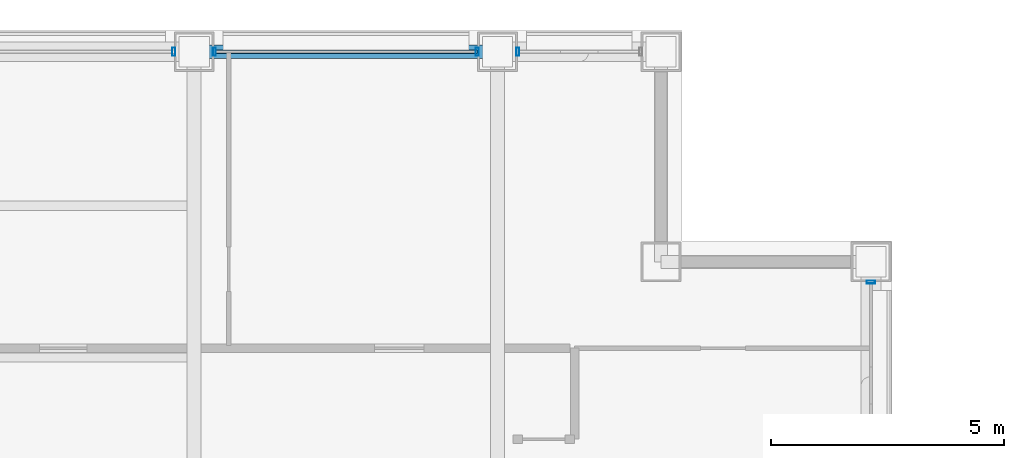
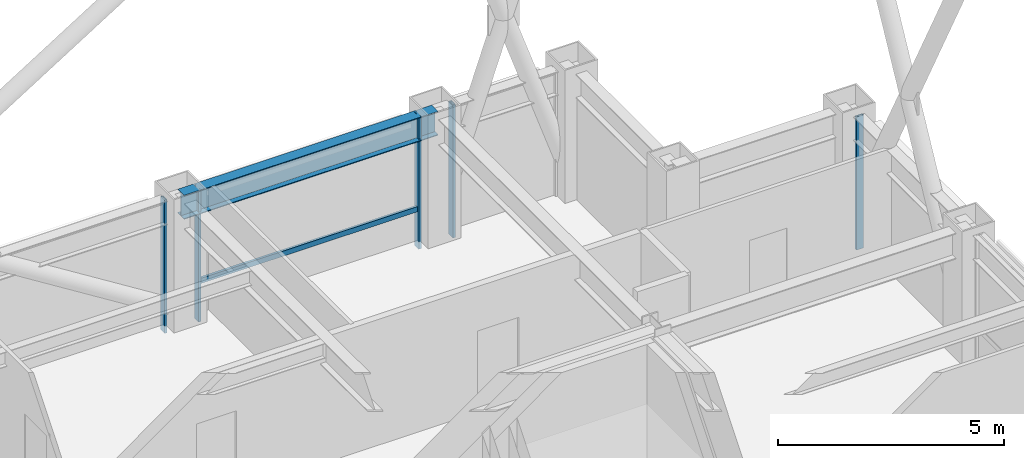
# One storey, part 22 of 32: 6 members, 1 beam, 4 elements without a shape of their own.
"""IFC4 building model written with IfcOpenShell, lengths in metres."""

import ifcopenshell
import ifcopenshell.guid

model = None  # the IFC model being written
_history = None  # IfcOwnerHistory: only IFC2X3 demands one
_inside = {}  # id of a spatial element -> (the spatial element, [elements in it])
_under = {}  # id of a project, library or spatial element -> (it, [spatial elements below it])
_declared = {}  # id of a project -> (the project, [libraries it declares])
_typed = {}  # id of a type object -> (the type object, [elements of that type])
_made_of = {}  # id of a material, layer set ... -> (it, [elements and type objects made of it])


def new_model(schema):
    """Start an empty IFC model of exactly this schema.

    Asked for "IFC4X3", IfcOpenShell would pick the latest addendum, in which some entities
    have other attributes; the version numbers below select the first issue.
    IFC2X3 requires an IfcOwnerHistory on every rooted entity: one is made here for all.
    """
    global model, _history
    if schema == "IFC4X3":
        model = ifcopenshell.file(schema_version=(4, 3, 0, 0))
    else:
        model = ifcopenshell.file(schema=schema)
    _inside.clear()
    _under.clear()
    _declared.clear()
    _typed.clear()
    _made_of.clear()
    _history = None
    if model.schema == "IFC2X3":
        org = make("IfcOrganization", Name="unknown")
        user = make(
            "IfcPersonAndOrganization",
            ThePerson=make("IfcPerson", FamilyName="unknown"),
            TheOrganization=org,
        )
        app = make(
            "IfcApplication",
            ApplicationDeveloper=org,
            Version="unknown",
            ApplicationFullName="unknown",
            ApplicationIdentifier="unknown",
        )
        _history = make(
            "IfcOwnerHistory",
            OwningUser=user,
            OwningApplication=app,
            ChangeAction="ADDED",
            CreationDate=0,
        )
    return model


def make(cls, **values):
    """One entity of the class cls with the attributes given. An attribute that is None is left unset."""
    return model.create_entity(
        cls, **{name: value for name, value in values.items() if value is not None}
    )


def rooted(cls, **values):
    """An entity with a GlobalId (a new one), such as an element, a storey or a relation."""
    return make(cls, GlobalId=ifcopenshell.guid.new(), OwnerHistory=_history, **values)


def si_unit(unit_type, name, prefix=None):
    """IfcSIUnit, for example si_unit("LENGTHUNIT", "METRE", prefix="MILLI")."""
    return make("IfcSIUnit", UnitType=unit_type, Prefix=prefix, Name=name)


def assignment(units):
    """IfcUnitAssignment: the units of a project."""
    return None if units is None else make("IfcUnitAssignment", Units=units)


def point(xyz):
    """IfcCartesianPoint."""
    return None if xyz is None else make("IfcCartesianPoint", Coordinates=xyz)


def direction(xyz):
    """IfcDirection."""
    return None if xyz is None else make("IfcDirection", DirectionRatios=xyz)


def frame(location, z_axis=None, x_axis=None):
    """IfcAxis2Placement3D, a coordinate frame: its origin and axes. An axis left out is left unset."""
    return make(
        "IfcAxis2Placement3D",
        Location=point(location),
        Axis=direction(z_axis),
        RefDirection=direction(x_axis),
    )


def frame_2d(location, x_axis=None):
    """IfcAxis2Placement2D, a coordinate frame in the plane: its origin and x axis."""
    return make(
        "IfcAxis2Placement2D", Location=point(location), RefDirection=direction(x_axis)
    )


def origin():
    """The frame at (0, 0, 0) with its axes left unset."""
    return frame((0.0, 0.0, 0.0))


def origin_2d():
    """The frame at (0, 0) in the plane with its x axis left unset."""
    return frame_2d((0.0, 0.0))


def place(relative_to, where):
    """IfcLocalPlacement: puts the frame where relative to a parent placement (None: the world)."""
    return make(
        "IfcLocalPlacement", PlacementRelTo=relative_to, RelativePlacement=where
    )


def context(
    kind, dimensions, precision=None, world=None, true_north=None, identifier=None
):
    """IfcGeometricRepresentationContext, for example the 3D "Model" context."""
    return make(
        "IfcGeometricRepresentationContext",
        ContextIdentifier=identifier,
        ContextType=kind,
        CoordinateSpaceDimension=dimensions,
        Precision=precision,
        WorldCoordinateSystem=world,
        TrueNorth=true_north,
    )


def subcontext(parent, identifier, kind, view, scale=None):
    """IfcGeometricRepresentationSubContext, for example "Body" below "Model"."""
    return make(
        "IfcGeometricRepresentationSubContext",
        ContextIdentifier=identifier,
        ContextType=kind,
        ParentContext=parent,
        TargetScale=scale,
        TargetView=view,
    )


def project(units=None, contexts=None):
    """IfcProject with its units and contexts."""
    return rooted(
        "IfcProject",
        Name="project",
        RepresentationContexts=contexts,
        UnitsInContext=assignment(units),
    )


def spatial(cls, under=None, at=None, **own):
    """A site, building, storey or space (cls), placed at a placement, below another one or the project."""
    s = rooted(cls, ObjectPlacement=at, **own)
    if under is not None:
        _under.setdefault(under.id(), (under, []))[1].append(s)
    return s


def profile(cls, at=None, kind="AREA", **sizes):
    """A parametric profile (cls). Its sizes go by their IFC names, for example OverallWidth=200.0."""
    return make(cls, ProfileType=kind, Position=at, **sizes)


def hollow_rectangle(**sizes):
    """IfcRectangleHollowProfileDef."""
    return profile("IfcRectangleHollowProfileDef", **sizes)


def i_section(**sizes):
    """IfcIShapeProfileDef."""
    return profile("IfcIShapeProfileDef", **sizes)


def extrude(swept, where, along, depth):
    """IfcExtrudedAreaSolid: the profile swept, set in the frame where, extruded along a direction by depth."""
    return make(
        "IfcExtrudedAreaSolid",
        SweptArea=swept,
        Position=where,
        ExtrudedDirection=direction(along),
        Depth=depth,
    )


def shape(context_of_items, identifier, shape_type, items):
    """IfcShapeRepresentation: the items that make up one representation, for example the "Body"."""
    return make(
        "IfcShapeRepresentation",
        ContextOfItems=context_of_items,
        RepresentationIdentifier=identifier,
        RepresentationType=shape_type,
        Items=items,
    )


def material(Name=None, Category=None):
    """IfcMaterial."""
    return make("IfcMaterial", Name=Name, Category=Category)


def layer(
    of_material, thickness, ventilated=None, Name=None, Category=None, Priority=None
):
    """IfcMaterialLayer: one layer of a wall or slab, of a material (None: an air gap)."""
    return make(
        "IfcMaterialLayer",
        Material=of_material,
        LayerThickness=thickness,
        IsVentilated=ventilated,
        Name=Name,
        Category=Category,
        Priority=Priority,
    )


def layer_set(layers, Name=None):
    """IfcMaterialLayerSet."""
    return make("IfcMaterialLayerSet", MaterialLayers=layers, LayerSetName=Name)


def material_profile(
    of_material, cross_section, Name=None, Category=None, Priority=None
):
    """IfcMaterialProfile: a cross section and its material."""
    return make(
        "IfcMaterialProfile",
        Name=Name,
        Material=of_material,
        Profile=cross_section,
        Priority=Priority,
        Category=Category,
    )


def profile_set(profiles, Name=None, composite=None):
    """IfcMaterialProfileSet."""
    return make(
        "IfcMaterialProfileSet",
        Name=Name,
        MaterialProfiles=profiles,
        CompositeProfile=composite,
    )


def made_of(thing, what):
    """Note that an element or type object is made of a material, layer set ...; save() writes the relation."""
    if what is not None:
        _made_of.setdefault(what.id(), (what, []))[1].append(thing)
    return thing


def type_object(cls, material=None, **own):
    """A type object (cls), such as IfcWallType, which elements share."""
    return made_of(rooted(cls, **own), material)


def element(
    cls,
    number,
    at=None,
    inside=None,
    cuts=None,
    type_object=None,
    material=None,
    context=None,
    identifier="Body",
    shape_type=None,
    held_by="IfcProductDefinitionShape",
    body=None,
    shapes=None,
    **own,
):
    """One element of the class cls, such as IfcWall. Its Tag is "e" and its number.

    at: its placement. inside: the storey or other place that contains it. cuts: it is an
    opening in that element (IfcRelVoidsElement). A single representation is given by context,
    identifier, shape_type and body (its items); several are given by shapes. held_by: the class
    of the entity that holds the representations. save() writes the other relations.
    """
    e = rooted(cls, Tag="e%d" % number, ObjectPlacement=at, **own)
    if body is not None:
        shapes = [shape(context, identifier, shape_type, body)]
    if shapes is not None:
        e.Representation = make(held_by, Representations=shapes)
    if inside is not None:
        _inside.setdefault(inside.id(), (inside, []))[1].append(e)
    if cuts is not None:
        rooted(
            "IfcRelVoidsElement", RelatingBuildingElement=cuts, RelatedOpeningElement=e
        )
    if type_object is not None:
        _typed.setdefault(type_object.id(), (type_object, []))[1].append(e)
    return made_of(e, material)


def aggregate(whole, parts):
    """IfcRelAggregates: a whole, such as a stair, and the parts it consists of."""
    return rooted("IfcRelAggregates", RelatingObject=whole, RelatedObjects=parts)


def save(model, path):
    """Write the relations noted so far, then the file.

    IfcRelAggregates (storeys below a building ...), IfcRelContainedInSpatialStructure (elements
    in a storey), IfcRelDefinesByType, IfcRelAssociatesMaterial and IfcRelDeclares: one each for
    every whole, place, type object, material and project.
    """
    for whole, parts in _under.values():
        aggregate(whole, parts)
    for where, things in _inside.values():
        rooted(
            "IfcRelContainedInSpatialStructure",
            RelatedElements=things,
            RelatingStructure=where,
        )
    for kind, things in _typed.values():
        rooted("IfcRelDefinesByType", RelatedObjects=things, RelatingType=kind)
    for what, things in _made_of.values():
        rooted("IfcRelAssociatesMaterial", RelatedObjects=things, RelatingMaterial=what)
    for by, libraries in _declared.values():
        rooted("IfcRelDeclares", RelatingContext=by, RelatedDefinitions=libraries)
    model.write(path)


model = new_model("IFC4")

# Units and contexts
model_context = context("Model", 3, precision=1e-05, world=origin(), true_north=direction((0.0, 1.0)))
body_context = subcontext(model_context, "Body", "Model", "MODEL_VIEW")
ifc_project = project(units=[si_unit("LENGTHUNIT", "METRE"), si_unit("AREAUNIT", "SQUARE_METRE"), si_unit("VOLUMEUNIT", "CUBIC_METRE"), si_unit("PLANEANGLEUNIT", "RADIAN"), si_unit("MASSUNIT", "GRAM", prefix="KILO")], contexts=[model_context])

# Site, building, storey
site_placement = place(None, origin())
site = spatial("IfcSite", under=ifc_project, at=site_placement, CompositionType="ELEMENT")
building_placement = place(site_placement, origin())
building = spatial("IfcBuilding", under=site, at=building_placement, Name="Brelmoor Portico Tower", CompositionType="ELEMENT")
storey_placement = place(building_placement, frame((0.0, 0.0, 109.800048828125)))
storey = spatial("IfcBuildingStorey", under=building, at=storey_placement, Name="L28", CompositionType="ELEMENT", Elevation=109.800048828125)

# Beam
ifc_material_1 = material(Name="Steel Q355B", Category="steel")
ifc_material_profile_1 = material_profile(ifc_material_1, i_section(OverallWidth=0.280029296875, OverallDepth=0.64990234375, WebThickness=0.012939453125, FlangeThickness=0.02197265625, at=origin_2d()), Name="HN 650x280x13x22")
ifc_profile_set_1 = profile_set([ifc_material_profile_1], Name="Steel Q355B")
beam_type = type_object("IfcBeamType", Name="BM-SP-650", PredefinedType="SPANDREL", material=ifc_profile_set_1)
beam_placement = place(storey_placement, frame((8.050048828125, 19.550048828125, 3.074951171875), z_axis=(1.0, 0.0, 0.0), x_axis=(0.0, 1.0, 0.0)))
element("IfcBeam", 1, at=beam_placement, inside=storey, type_object=beam_type, Name="L28 Perimeter Spandrel Beam SP-13", PredefinedType="SPANDREL", context=body_context, shape_type="SweptSolid", body=[
    extrude(i_section(OverallWidth=0.280029296875, OverallDepth=0.64990234375, WebThickness=0.012939453125, FlangeThickness=0.02197265625, at=origin_2d()), origin(), (0.0, 0.0, 1.0), 6.5),
])

# Curtain wall, member
ifc_material_2 = material(Name="Anodised Aluminium Alloy 6063-T6", Category="aluminium")
ifc_layer_1 = layer(ifc_material_2, 0.179931640625)
ifc_layer_set_1 = layer_set([ifc_layer_1], Name="Anodised Aluminium Alloy 6063-T6")
curtain_wall_type_1 = type_object("IfcCurtainWallType", Name="CW-TOWER-Z2-XB", PredefinedType="NOTDEFINED", material=ifc_layer_set_1)
curtain_wall_1_placement = place(storey_placement, origin())
curtain_wall_1 = element("IfcCurtainWall", 2, at=curtain_wall_1_placement, inside=storey, type_object=curtain_wall_type_1, Name="L28 Curtain Wall CW-L28-02-3", PredefinedType="NOTDEFINED")
ifc_material_profile_2 = material_profile(ifc_material_2, hollow_rectangle(XDim=0.06494140625, YDim=0.179931640625, WallThickness=0.00390625, at=origin_2d()), Name="ALU MULLION 65x180")
ifc_profile_set_2 = profile_set([ifc_material_profile_2], Name="Anodised Aluminium Alloy 6063-T6")
member_type_1 = type_object("IfcMemberType", Name="MB-CW-MULL-180", PredefinedType="MULLION", material=ifc_profile_set_2)
member_1_placement = place(storey_placement, frame((7.614990234375, 19.550048828125, -0.199951171875), z_axis=(0.0, 0.0, 1.0), x_axis=(1.0, 0.0, 0.0)))
member_1 = element("IfcMember", 3, at=member_1_placement, type_object=member_type_1, Name="CW-L28-02-3 Mullion 01", PredefinedType="MULLION", context=body_context, shape_type="SweptSolid", body=[
    extrude(hollow_rectangle(XDim=0.06494140625, YDim=0.179931640625, WallThickness=0.00390625, at=origin_2d()), origin(), (0.0, 0.0, 1.0), 3.599853515625),
])
aggregate(curtain_wall_1, [member_1])

# Curtain wall, members
ifc_layer_2 = layer(ifc_material_2, 0.179931640625)
ifc_layer_set_2 = layer_set([ifc_layer_2], Name="Anodised Aluminium Alloy 6063-T6")
curtain_wall_type_2 = type_object("IfcCurtainWallType", Name="CW-TOWER-Z2", PredefinedType="NOTDEFINED", material=ifc_layer_set_2)
curtain_wall_2_placement = place(storey_placement, origin())
curtain_wall_2 = element("IfcCurtainWall", 4, at=curtain_wall_2_placement, inside=storey, type_object=curtain_wall_type_2, Name="L28 Curtain Wall CW-L28-02-4", PredefinedType="NOTDEFINED")
member_2_placement = place(storey_placement, frame((8.485107421875, 19.550048828125, -0.199951171875), z_axis=(0.0, 0.0, 1.0), x_axis=(1.0, 0.0, 0.0)))
member_2 = element("IfcMember", 5, at=member_2_placement, type_object=member_type_1, Name="CW-L28-02-4 Mullion 00", PredefinedType="MULLION", context=body_context, shape_type="SweptSolid", body=[
    extrude(hollow_rectangle(XDim=0.06494140625, YDim=0.179931640625, WallThickness=0.00390625, at=origin_2d()), origin(), (0.0, 0.0, 1.0), 3.599853515625),
])
member_3_placement = place(storey_placement, frame((14.114990234375, 19.550048828125, -0.199951171875), z_axis=(0.0, 0.0, 1.0), x_axis=(1.0, 0.0, 0.0)))
member_3 = element("IfcMember", 6, at=member_3_placement, type_object=member_type_1, Name="CW-L28-02-4 Mullion 01", PredefinedType="MULLION", context=body_context, shape_type="SweptSolid", body=[
    extrude(hollow_rectangle(XDim=0.06494140625, YDim=0.179931640625, WallThickness=0.00390625, at=origin_2d()), origin(), (0.0, 0.0, 1.0), 3.599853515625),
])

# Curtain wall, member
curtain_wall_3_placement = place(storey_placement, origin())
curtain_wall_3 = element("IfcCurtainWall", 7, at=curtain_wall_3_placement, inside=storey, type_object=curtain_wall_type_1, Name="L28 Curtain Wall CW-L28-02-5", PredefinedType="NOTDEFINED")
member_4_placement = place(storey_placement, frame((14.985107421875, 19.550048828125, -0.199951171875), z_axis=(0.0, 0.0, 1.0), x_axis=(1.0, 0.0, 0.0)))
member_4 = element("IfcMember", 8, at=member_4_placement, type_object=member_type_1, Name="CW-L28-02-5 Mullion 00", PredefinedType="MULLION", context=body_context, shape_type="SweptSolid", body=[
    extrude(hollow_rectangle(XDim=0.06494140625, YDim=0.179931640625, WallThickness=0.00390625, at=origin_2d()), origin(), (0.0, 0.0, 1.0), 3.599853515625),
])
aggregate(curtain_wall_3, [member_4])

curtain_wall_4_placement = place(storey_placement, origin())
curtain_wall_4 = element("IfcCurtainWall", 9, at=curtain_wall_4_placement, inside=storey, type_object=curtain_wall_type_1, Name="L28 Curtain Wall CW-L28-4R-2", PredefinedType="NOTDEFINED")
member_5_placement = place(storey_placement, frame((22.550048828125, 14.614990234375, -0.199951171875), z_axis=(0.0, 0.0, 1.0), x_axis=(0.0, 1.0, 0.0)))
member_5 = element("IfcMember", 10, at=member_5_placement, type_object=member_type_1, Name="CW-L28-4R-2 Mullion 01", PredefinedType="MULLION", context=body_context, shape_type="SweptSolid", body=[
    extrude(hollow_rectangle(XDim=0.06494140625, YDim=0.179931640625, WallThickness=0.00390625, at=origin_2d()), origin(), (0.0, 0.0, 1.0), 3.599853515625),
])
aggregate(curtain_wall_4, [member_5])

# Member
ifc_material_profile_3 = material_profile(ifc_material_2, hollow_rectangle(XDim=0.06494140625, YDim=0.139892578125, WallThickness=0.00390625, at=origin_2d()), Name="ALU TRANSOM 65x140")
ifc_profile_set_3 = profile_set([ifc_material_profile_3], Name="Anodised Aluminium Alloy 6063-T6")
member_type_2 = type_object("IfcMemberType", Name="MB-CW-TRAN-140", PredefinedType="USERDEFINED", material=ifc_profile_set_3)
member_6_placement = place(storey_placement, frame((8.485107421875, 19.550048828125, 0.849853515625), z_axis=(1.0, 0.0, 0.0), x_axis=(0.0, 1.0, 0.0)))
member_6 = element("IfcMember", 11, at=member_6_placement, type_object=member_type_2, Name="CW-L28-02-4 Transom 1-00", ObjectType="TRANSOM", PredefinedType="USERDEFINED", context=body_context, shape_type="SweptSolid", body=[
    extrude(hollow_rectangle(XDim=0.06494140625, YDim=0.139892578125, WallThickness=0.00390625, at=origin_2d()), origin(), (0.0, 0.0, 1.0), 5.6298828125),
])

aggregate(curtain_wall_2, [member_2, member_3, member_6])

save(model, "model.ifc")
